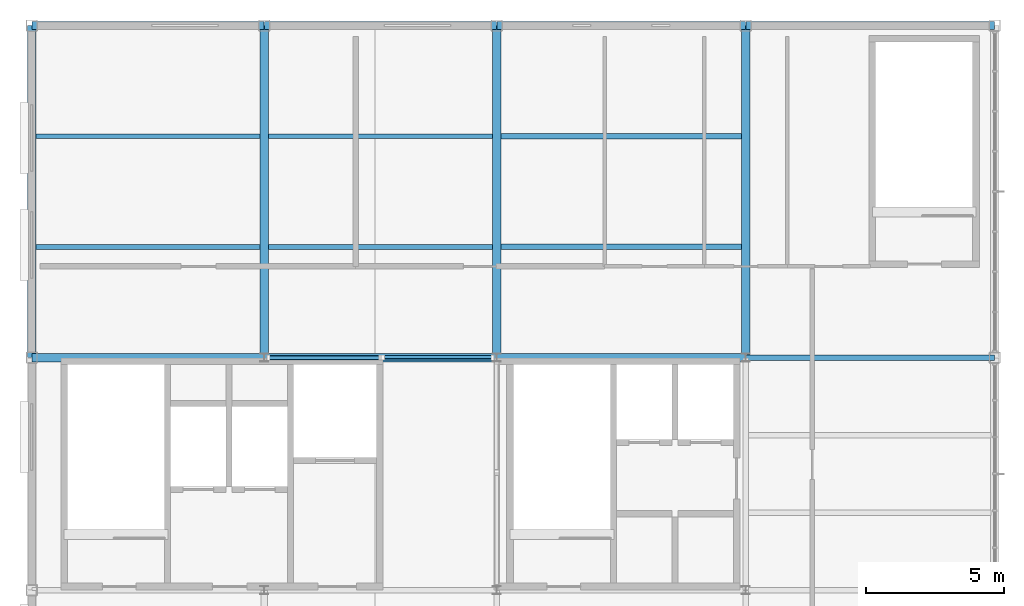
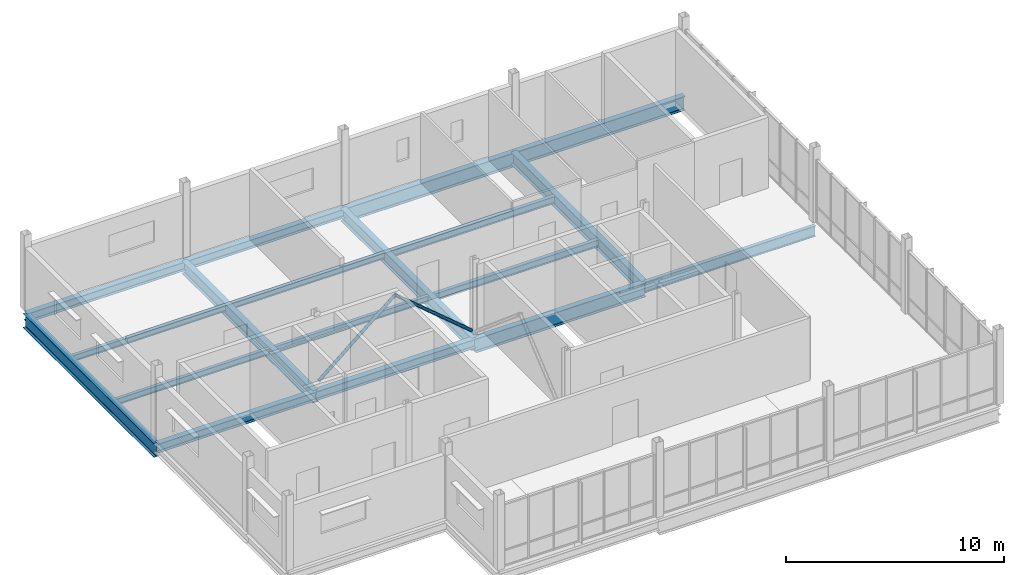
# One storey, part 6 of 15: 18 beams, 2 members.
"""IFC4 building model written with IfcOpenShell, lengths in metres."""

from ifc_helpers import new_model, si_unit, direction, frame, origin, origin_2d, place, context, subcontext, project, spatial, hollow_circle, i_section, extrude, material, material_profile, profile_set, type_object, element, save


model = new_model("IFC4")

# Units and contexts
model_context = context("Model", 3, precision=1e-05, world=origin(), true_north=direction((0.0, 1.0)))
body_context = subcontext(model_context, "Body", "Model", "MODEL_VIEW")
ifc_project = project(units=[si_unit("LENGTHUNIT", "METRE"), si_unit("AREAUNIT", "SQUARE_METRE"), si_unit("VOLUMEUNIT", "CUBIC_METRE"), si_unit("PLANEANGLEUNIT", "RADIAN"), si_unit("MASSUNIT", "GRAM", prefix="KILO")], contexts=[model_context])

# Site, building, storey
site_placement = place(None, origin())
site = spatial("IfcSite", under=ifc_project, at=site_placement, CompositionType="ELEMENT")
building_placement = place(site_placement, origin())
building = spatial("IfcBuilding", under=site, at=building_placement, Name="Yukiwa Park Conservatory and Herbarium", CompositionType="ELEMENT")
storey_placement = place(building_placement, frame((0.0, 0.0, 61.199951171875)))
storey = spatial("IfcBuildingStorey", under=building, at=storey_placement, Name="L16", CompositionType="ELEMENT", Elevation=61.199951171875)

# Beams
ifc_material_1 = material(Name="Steel Q355D", Category="steel")
ifc_material_profile_1 = material_profile(ifc_material_1, i_section(OverallWidth=0.198974609375, OverallDepth=0.595947265625, WebThickness=0.010009765625, FlangeThickness=0.014892578125, FilletRadius=0.02197265625, at=origin_2d()), Name="HN 596x199x10x15")
ifc_profile_set_1 = profile_set([ifc_material_profile_1], Name="Steel Q355D")
beam_type_1 = type_object("IfcBeamType", Name="BM-GRD-HN596", PredefinedType="BEAM", material=ifc_profile_set_1)
beam_1_placement = place(storey_placement, frame((159.006103515625, 103.199951171875, -0.56787109375), z_axis=(1.0, 0.0, 0.0), x_axis=(0.0, 1.0, 0.0)))
element("IfcBeam", 1, at=beam_1_placement, inside=storey, type_object=beam_type_1, Name="L16 grid beam X-12", PredefinedType="BEAM", context=body_context, shape_type="SweptSolid", body=[
    extrude(i_section(OverallWidth=0.198974609375, OverallDepth=0.595947265625, WebThickness=0.010009765625, FlangeThickness=0.014892578125, FilletRadius=0.02197265625, at=origin_2d()), origin(), (0.0, 0.0, 1.0), 8.98779296875),
])
ifc_material_2 = material(Name="Steel Q355D", Category="steel")
ifc_material_profile_2 = material_profile(ifc_material_2, i_section(OverallWidth=0.300048828125, OverallDepth=0.699951171875, WebThickness=0.012939453125, FlangeThickness=0.02392578125, FilletRadius=0.028076171875, at=origin_2d()), Name="HN 700x300x13x24")
ifc_profile_set_2 = profile_set([ifc_material_profile_2], Name="Steel Q355D")
beam_type_2 = type_object("IfcBeamType", Name="BM-GRD-HN700", PredefinedType="BEAM", material=ifc_profile_set_2)
for number, where, z_axis, x_axis, name in (
    (2, (141.60009765625, 103.2060546875, -0.619873046875), (0.0, 1.0, 0.0), (-1.0, 0.0, 0.0), "L16 grid girder Y-22"),
    (3, (150.0, 103.2060546875, -0.619873046875), (0.0, 1.0, 0.0), (-1.0, 0.0, 0.0), "L16 grid girder Y-25"),
    (4, (159.0, 103.2060546875, -0.619873046875), (0.0, 1.0, 0.0), (-1.0, 0.0, 0.0), "L16 grid girder Y-28"),
):
    element("IfcBeam", number, at=place(storey_placement, frame(where, z_axis=z_axis, x_axis=x_axis)), inside=storey, type_object=beam_type_2, Name=name, PredefinedType="BEAM", context=body_context, shape_type="SweptSolid", body=[
        extrude(i_section(OverallWidth=0.300048828125, OverallDepth=0.699951171875, WebThickness=0.012939453125, FlangeThickness=0.02392578125, FilletRadius=0.028076171875, at=origin_2d()), origin(), (0.0, 0.0, 1.0), 11.988037109375),
    ])
ifc_material_3 = material(Name="Steel Q355D", Category="steel")
ifc_material_profile_3 = material_profile(ifc_material_3, i_section(OverallWidth=0.174072265625, OverallDepth=0.345947265625, WebThickness=0.006103515625, FlangeThickness=0.009033203125, FilletRadius=0.013916015625, at=origin_2d()), Name="HN 346x174x6x9")
ifc_profile_set_3 = profile_set([ifc_material_profile_3], Name="Steel Q355D")
beam_type_3 = type_object("IfcBeamType", Name="BM-JST-HN346", PredefinedType="JOIST", material=ifc_profile_set_3)
for number, where, z_axis, x_axis, name in (
    (5, (133.345947265625, 107.199951171875, -0.44287109375), (1.0, 0.0, 0.0), (0.0, 1.0, 0.0), "L16 composite floor joist 2"),
    (6, (133.345947265625, 111.199951171875, -0.44287109375), (1.0, 0.0, 0.0), (0.0, 1.0, 0.0), "L16 composite floor joist 3"),
):
    element("IfcBeam", number, at=place(storey_placement, frame(where, z_axis=z_axis, x_axis=x_axis)), inside=storey, type_object=beam_type_3, Name=name, PredefinedType="JOIST", context=body_context, shape_type="SweptSolid", body=[
        extrude(i_section(OverallWidth=0.174072265625, OverallDepth=0.345947265625, WebThickness=0.006103515625, FlangeThickness=0.009033203125, FilletRadius=0.013916015625, at=origin_2d()), origin(), (0.0, 0.0, 1.0), 8.108154296875),
    ])
for number, where, z_axis, x_axis, name in (
    (7, (141.74609375, 107.199951171875, -0.44287109375), (1.0, 0.0, 0.0), (0.0, 1.0, 0.0), "L16 composite floor joist 4"),
    (8, (141.74609375, 111.199951171875, -0.44287109375), (1.0, 0.0, 0.0), (0.0, 1.0, 0.0), "L16 composite floor joist 5"),
):
    element("IfcBeam", number, at=place(storey_placement, frame(where, z_axis=z_axis, x_axis=x_axis)), inside=storey, type_object=beam_type_3, Name=name, PredefinedType="JOIST", context=body_context, shape_type="SweptSolid", body=[
        extrude(i_section(OverallWidth=0.174072265625, OverallDepth=0.345947265625, WebThickness=0.006103515625, FlangeThickness=0.009033203125, FilletRadius=0.013916015625, at=origin_2d()), origin(), (0.0, 0.0, 1.0), 8.10791015625),
    ])
ifc_material_4 = material(Name="Steel Q355D", Category="steel")
ifc_material_profile_4 = material_profile(ifc_material_4, i_section(OverallWidth=0.198974609375, OverallDepth=0.39599609375, WebThickness=0.007080078125, FlangeThickness=0.010986328125, FilletRadius=0.01611328125, at=origin_2d()), Name="HN 396x199x7x11")
ifc_profile_set_4 = profile_set([ifc_material_profile_4], Name="Steel Q355D")
beam_type_4 = type_object("IfcBeamType", Name="BM-JST-HN396", PredefinedType="JOIST", material=ifc_profile_set_4)
for number, where, z_axis, x_axis, name in (
    (9, (150.14599609375, 107.199951171875, -0.468017578125), (1.0, 0.0, 0.0), (0.0, 1.0, 0.0), "L16 composite floor joist 6"),
    (10, (150.14599609375, 111.199951171875, -0.468017578125), (1.0, 0.0, 0.0), (0.0, 1.0, 0.0), "L16 composite floor joist 7"),
):
    element("IfcBeam", number, at=place(storey_placement, frame(where, z_axis=z_axis, x_axis=x_axis)), inside=storey, type_object=beam_type_4, Name=name, PredefinedType="JOIST", context=body_context, shape_type="SweptSolid", body=[
        extrude(i_section(OverallWidth=0.198974609375, OverallDepth=0.39599609375, WebThickness=0.007080078125, FlangeThickness=0.010986328125, FilletRadius=0.01611328125, at=origin_2d()), origin(), (0.0, 0.0, 1.0), 8.7080078125),
    ])
ifc_material_5 = material(Name="Steel Q355D", Category="steel")
ifc_material_profile_5 = material_profile(ifc_material_5, i_section(OverallWidth=0.300048828125, OverallDepth=0.5, WebThickness=0.010986328125, FlangeThickness=0.01806640625, FilletRadius=0.02392578125, at=origin_2d()), Name="HM 500x300x11x18")
ifc_profile_set_5 = profile_set([ifc_material_profile_5], Name="Steel Q355D")
beam_type_5 = type_object("IfcBeamType", Name="BM-SPN-HN500", PredefinedType="SPANDREL", material=ifc_profile_set_5)
for number, where, z_axis, x_axis, name in (
    (11, (133.2060546875, 103.199951171875, -0.52001953125), (1.0, 0.0, 0.0), (0.0, 1.0, 0.0), "L16 spandrel beam X-9"),
    (12, (141.60595703125, 103.199951171875, -0.52001953125), (1.0, 0.0, 0.0), (0.0, 1.0, 0.0), "L16 spandrel beam X-10"),
    (13, (133.2060546875, 115.199951171875, -0.52001953125), (1.0, 0.0, 0.0), (0.0, 1.0, 0.0), "L16 spandrel beam X-13"),
    (14, (141.60595703125, 115.199951171875, -0.52001953125), (1.0, 0.0, 0.0), (0.0, 1.0, 0.0), "L16 spandrel beam X-14"),
):
    element("IfcBeam", number, at=place(storey_placement, frame(where, z_axis=z_axis, x_axis=x_axis)), inside=storey, type_object=beam_type_5, Name=name, PredefinedType="SPANDREL", context=body_context, shape_type="SweptSolid", body=[
        extrude(i_section(OverallWidth=0.300048828125, OverallDepth=0.5, WebThickness=0.010986328125, FlangeThickness=0.01806640625, FilletRadius=0.02392578125, at=origin_2d()), origin(), (0.0, 0.0, 1.0), 8.387939453125),
    ])
ifc_material_6 = material(Name="Steel Q355D", Category="steel")
ifc_material_profile_6 = material_profile(ifc_material_6, i_section(OverallWidth=0.300048828125, OverallDepth=0.7919921875, WebThickness=0.013916015625, FlangeThickness=0.02197265625, FilletRadius=0.028076171875, at=origin_2d()), Name="HN 792x300x14x22")
ifc_profile_set_6 = profile_set([ifc_material_profile_6], Name="Steel Q355D")
beam_type_6 = type_object("IfcBeamType", Name="BM-SPN-HN600", PredefinedType="SPANDREL", material=ifc_profile_set_6)
for number, where, z_axis, x_axis, name in (
    (15, (150.006103515625, 103.199951171875, -0.666015625), (1.0, 0.0, 0.0), (0.0, 1.0, 0.0), "L16 spandrel beam X-11"),
    (16, (150.006103515625, 115.199951171875, -0.666015625), (1.0, 0.0, 0.0), (0.0, 1.0, 0.0), "L16 spandrel beam X-15"),
    (17, (159.006103515625, 115.199951171875, -0.666015625), (1.0, 0.0, 0.0), (0.0, 1.0, 0.0), "L16 spandrel beam X-16"),
):
    element("IfcBeam", number, at=place(storey_placement, frame(where, z_axis=z_axis, x_axis=x_axis)), inside=storey, type_object=beam_type_6, Name=name, PredefinedType="SPANDREL", context=body_context, shape_type="SweptSolid", body=[
        extrude(i_section(OverallWidth=0.300048828125, OverallDepth=0.7919921875, WebThickness=0.013916015625, FlangeThickness=0.02197265625, FilletRadius=0.028076171875, at=origin_2d()), origin(), (0.0, 0.0, 1.0), 8.98779296875),
    ])
beam_2_placement = place(storey_placement, frame((133.199951171875, 103.2060546875, -0.666015625), z_axis=(0.0, 1.0, 0.0), x_axis=(-1.0, 0.0, 0.0)))
element("IfcBeam", 18, at=beam_2_placement, inside=storey, type_object=beam_type_6, Name="L16 spandrel girder Y-19", PredefinedType="SPANDREL", context=body_context, shape_type="SweptSolid", body=[
    extrude(i_section(OverallWidth=0.300048828125, OverallDepth=0.7919921875, WebThickness=0.013916015625, FlangeThickness=0.02197265625, FilletRadius=0.028076171875, at=origin_2d()), origin(), (0.0, 0.0, 1.0), 11.988037109375),
])

# Members
ifc_material_7 = material(Name="Steel Q355D", Category="steel")
ifc_material_profile_7 = material_profile(ifc_material_7, hollow_circle(Radius=0.084228515625, WallThickness=0.008056640625, at=origin_2d()), Name="CHS 168.3x8")
ifc_profile_set_7 = profile_set([ifc_material_profile_7], Name="Steel Q355D")
member_type = type_object("IfcMemberType", Name="MB-BR-CHS168", PredefinedType="BRACE", material=ifc_profile_set_7)
for number, where, z_axis, x_axis, name in (
    (19, (141.74951171875, 103.199951171875, 0.17578125), (0.765078588041, 0.0, 0.643936917811), (0.0, 1.0, 0.0), "L16 concentric chevron brace 77"),
    (20, (149.8505859375, 103.199951171875, 0.17578125), (-0.765078588041, 0.0, 0.643936917811), (0.0, -1.0, 0.0), "L16 concentric chevron brace 78"),
):
    element("IfcMember", number, at=place(storey_placement, frame(where, z_axis=z_axis, x_axis=x_axis)), inside=storey, type_object=member_type, Name=name, PredefinedType="BRACE", context=body_context, shape_type="SweptSolid", body=[
        extrude(hollow_circle(Radius=0.084228515625, WallThickness=0.008056640625, at=origin_2d()), origin(), (0.0, 0.0, 1.0), 5.294189453125),
    ])

save(model, "model.ifc")
